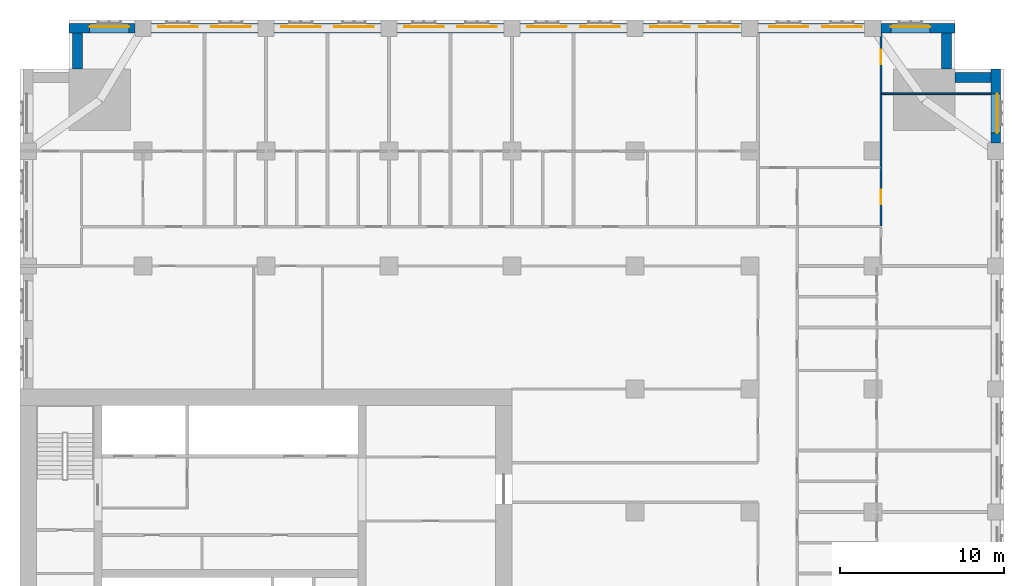
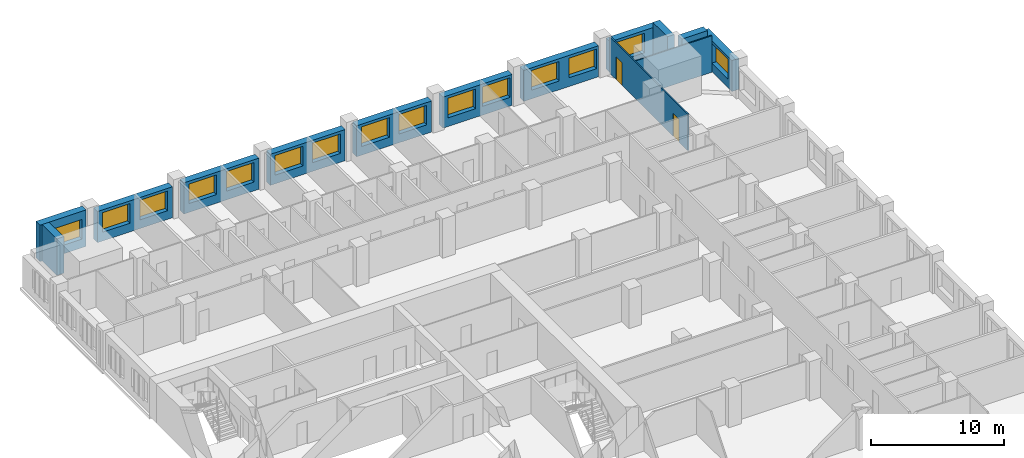
# One storey, part 12 of 15: 15 windows, 14 walls, 2 doors, 17 openings.
"""IFC4 building model written with IfcOpenShell, lengths in metres."""

from ifc_helpers import new_model, si_unit, direction, frame, frame_2d, origin, place, context, subcontext, project, spatial, rectangle, extrude, material, layer, layer_set, type_object, element, fill, save


model = new_model("IFC4")

# Units and contexts
model_context = context("Model", 3, precision=1e-05, world=origin(), true_north=direction((0.0, 1.0)))
body_context = subcontext(model_context, "Body", "Model", "MODEL_VIEW")
ifc_project = project(units=[si_unit("LENGTHUNIT", "METRE"), si_unit("AREAUNIT", "SQUARE_METRE"), si_unit("VOLUMEUNIT", "CUBIC_METRE"), si_unit("PLANEANGLEUNIT", "RADIAN"), si_unit("MASSUNIT", "GRAM", prefix="KILO")], contexts=[model_context])

# Site, building, storey
site_placement = place(None, origin())
site = spatial("IfcSite", under=ifc_project, at=site_placement, CompositionType="ELEMENT")
building_placement = place(site_placement, origin())
building = spatial("IfcBuilding", under=site, at=building_placement, Name="Tamorin Gate", CompositionType="ELEMENT")
storey_placement = place(building_placement, frame((0.0, 0.0, 111.5)))
storey = spatial("IfcBuildingStorey", under=building, at=storey_placement, Name="L27", CompositionType="ELEMENT", Elevation=111.5)

# Wall, opening, window
ifc_material_1 = material(Name="Precast concrete C40/50", Category="concrete")
ifc_layer_1 = layer(ifc_material_1, 0.60009765625)
ifc_layer_set_1 = layer_set([ifc_layer_1], Name="Precast concrete C40/50")
wall_type_1 = type_object("IfcWallType", Name="Board-marked concrete facade panel 600", PredefinedType="SOLIDWALL", material=ifc_layer_set_1)
wall_1_placement = place(storey_placement, frame((89.5, 97.5, 0.0), z_axis=(0.0, 0.0, 1.0), x_axis=(0.0, 1.0, 0.0)))
wall_1 = element("IfcWall", 1, at=wall_1_placement, inside=storey, type_object=wall_type_1, Name="Facade panel", PredefinedType="SOLIDWALL", context=body_context, shape_type="SweptSolid", body=[
    extrude(rectangle(XDim=4.5, YDim=0.60009765625, at=frame_2d((2.25, 0.0))), origin(), (0.0, 0.0, 1.0), 2.85009765625),
])
opening_1_placement = place(wall_1_placement, frame((0.60009765625, 0.0, 0.800048828125)))
opening_1 = element("IfcOpeningElement", 2, at=opening_1_placement, cuts=wall_1, Name="Opening WN1", PredefinedType="OPENING", context=body_context, shape_type="SweptSolid", body=[
    extrude(rectangle(XDim=2.39990234375, YDim=1.800048828125, at=frame_2d((1.199951171875, 0.89990234375))), frame((0.0, 0.31005859375, 0.0), z_axis=(0.0, -1.0, 0.0), x_axis=(1.0, 0.0, 0.0)), (0.0, 0.0, 1.0), 0.6201171875),
])
ifc_material_2 = material(Name="Clear glass in aluminium frame", Category="aluminium")
window_type = type_object("IfcWindowType", Name="Deep-set window 2400x1800", PartitioningType="SINGLE_PANEL", PredefinedType="WINDOW", material=ifc_material_2)
window_1_placement = place(opening_1_placement, origin())
window_1 = element("IfcWindow", 3, at=window_1_placement, inside=storey, type_object=window_type, Name="Deep-set window", OverallHeight=1.800048828125, OverallWidth=2.39990234375, PartitioningType="SINGLE_PANEL", PredefinedType="WINDOW", context=body_context, shape_type="SweptSolid", body=[
    extrude(rectangle(XDim=2.39990234375, YDim=1.800048828125, at=frame_2d((1.199951171875, 0.89990234375))), frame((0.0, -0.070068359375, 0.0), z_axis=(0.0, -1.0, 0.0), x_axis=(1.0, 0.0, 0.0)), (0.0, 0.0, 1.0), 0.06005859375),
])
fill(opening_1, window_1)

# Walls
for number, where, z_axis, x_axis, name in (
    (4, (89.199951171875, 101.5, 0.0), (0.0, 0.0, 1.0), (-1.0, 0.0, 0.0), "Facade panel"),
    (5, (86.5, 102.0, 0.0), (0.0, 0.0, 1.0), (0.0, 1.0, 0.0), "Facade panel"),
):
    element("IfcWall", number, at=place(storey_placement, frame(where, z_axis=z_axis, x_axis=x_axis)), inside=storey, type_object=wall_type_1, Name=name, PredefinedType="SOLIDWALL", context=body_context, shape_type="SweptSolid", body=[
        extrude(rectangle(XDim=2.199951171875, YDim=0.60009765625, at=frame_2d((1.10009765625, 0.0))), origin(), (0.0, 0.0, 1.0), 3.35009765625),
    ])

# Wall, opening, window
wall_2_placement = place(storey_placement, frame((87.0, 104.5, 0.0), z_axis=(0.0, 0.0, 1.0), x_axis=(-1.0, 0.0, 0.0)))
wall_2 = element("IfcWall", 6, at=wall_2_placement, inside=storey, type_object=wall_type_1, Name="Facade panel", PredefinedType="SOLIDWALL", context=body_context, shape_type="SweptSolid", body=[
    extrude(rectangle(XDim=4.5, YDim=0.60009765625, at=frame_2d((2.25, 0.0))), origin(), (0.0, 0.0, 1.0), 2.85009765625),
])
opening_2_placement = place(wall_2_placement, frame((1.5, 0.0, 0.800048828125)))
opening_2 = element("IfcOpeningElement", 7, at=opening_2_placement, cuts=wall_2, Name="Opening WN1", PredefinedType="OPENING", context=body_context, shape_type="SweptSolid", body=[
    extrude(rectangle(XDim=2.39990234375, YDim=1.800048828125, at=frame_2d((1.199951171875, 0.89990234375))), frame((0.0, 0.31005859375, 0.0), z_axis=(0.0, -1.0, 0.0), x_axis=(1.0, 0.0, 0.0)), (0.0, 0.0, 1.0), 0.6201171875),
])
window_2_placement = place(opening_2_placement, origin())
window_2 = element("IfcWindow", 8, at=window_2_placement, inside=storey, type_object=window_type, Name="Deep-set window", OverallHeight=1.800048828125, OverallWidth=2.39990234375, PartitioningType="SINGLE_PANEL", PredefinedType="WINDOW", context=body_context, shape_type="SweptSolid", body=[
    extrude(rectangle(XDim=2.39990234375, YDim=1.800048828125, at=frame_2d((1.199951171875, 0.89990234375))), frame((0.0, -0.070068359375, 0.0), z_axis=(0.0, -1.0, 0.0), x_axis=(1.0, 0.0, 0.0)), (0.0, 0.0, 1.0), 0.06005859375),
])
fill(opening_2, window_2)

# Wall, openings, windows
wall_3_placement = place(storey_placement, frame((81.5, 104.5, 0.0), z_axis=(0.0, 0.0, 1.0), x_axis=(-1.0, 0.0, 0.0)))
wall_3 = element("IfcWall", 9, at=wall_3_placement, inside=storey, type_object=wall_type_1, Name="Facade panel", PredefinedType="SOLIDWALL", context=body_context, shape_type="SweptSolid", body=[
    extrude(rectangle(XDim=6.5, YDim=0.60009765625, at=frame_2d((3.25, 0.0))), origin(), (0.0, 0.0, 1.0), 2.85009765625),
])
opening_3_placement = place(wall_3_placement, frame((3.425048828125, 0.0, 0.800048828125)))
opening_3 = element("IfcOpeningElement", 10, at=opening_3_placement, cuts=wall_3, Name="Opening WN1", PredefinedType="OPENING", context=body_context, shape_type="SweptSolid", body=[
    extrude(rectangle(XDim=2.39990234375, YDim=1.800048828125, at=frame_2d((1.199951171875, 0.89990234375))), frame((0.0, 0.31005859375, 0.0), z_axis=(0.0, -1.0, 0.0), x_axis=(1.0, 0.0, 0.0)), (0.0, 0.0, 1.0), 0.6201171875),
])
opening_4_placement = place(wall_3_placement, frame((0.175048828125, 0.0, 0.800048828125)))
opening_4 = element("IfcOpeningElement", 11, at=opening_4_placement, cuts=wall_3, Name="Opening WN1", PredefinedType="OPENING", context=body_context, shape_type="SweptSolid", body=[
    extrude(rectangle(XDim=2.39990234375, YDim=1.800048828125, at=frame_2d((1.199951171875, 0.89990234375))), frame((0.0, 0.31005859375, 0.0), z_axis=(0.0, -1.0, 0.0), x_axis=(1.0, 0.0, 0.0)), (0.0, 0.0, 1.0), 0.6201171875),
])
window_3_placement = place(opening_3_placement, origin())
window_3 = element("IfcWindow", 12, at=window_3_placement, inside=storey, type_object=window_type, Name="Deep-set window", OverallHeight=1.800048828125, OverallWidth=2.39990234375, PartitioningType="SINGLE_PANEL", PredefinedType="WINDOW", context=body_context, shape_type="SweptSolid", body=[
    extrude(rectangle(XDim=2.39990234375, YDim=1.800048828125, at=frame_2d((1.199951171875, 0.89990234375))), frame((0.0, -0.070068359375, 0.0), z_axis=(0.0, -1.0, 0.0), x_axis=(1.0, 0.0, 0.0)), (0.0, 0.0, 1.0), 0.06005859375),
])
fill(opening_3, window_3)
window_4_placement = place(opening_4_placement, origin())
window_4 = element("IfcWindow", 13, at=window_4_placement, inside=storey, type_object=window_type, Name="Deep-set window", OverallHeight=1.800048828125, OverallWidth=2.39990234375, PartitioningType="SINGLE_PANEL", PredefinedType="WINDOW", context=body_context, shape_type="SweptSolid", body=[
    extrude(rectangle(XDim=2.39990234375, YDim=1.800048828125, at=frame_2d((1.199951171875, 0.89990234375))), frame((0.0, -0.070068359375, 0.0), z_axis=(0.0, -1.0, 0.0), x_axis=(1.0, 0.0, 0.0)), (0.0, 0.0, 1.0), 0.06005859375),
])
fill(opening_4, window_4)

wall_4_placement = place(storey_placement, frame((74.0, 104.5, 0.0), z_axis=(0.0, 0.0, 1.0), x_axis=(-1.0, 0.0, 0.0)))
wall_4 = element("IfcWall", 14, at=wall_4_placement, inside=storey, type_object=wall_type_1, Name="Facade panel", PredefinedType="SOLIDWALL", context=body_context, shape_type="SweptSolid", body=[
    extrude(rectangle(XDim=6.0, YDim=0.60009765625, at=frame_2d((3.0, 0.0))), origin(), (0.0, 0.0, 1.0), 2.85009765625),
])
opening_5_placement = place(wall_4_placement, frame((3.175048828125, 0.0, 0.800048828125)))
opening_5 = element("IfcOpeningElement", 15, at=opening_5_placement, cuts=wall_4, Name="Opening WN1", PredefinedType="OPENING", context=body_context, shape_type="SweptSolid", body=[
    extrude(rectangle(XDim=2.39990234375, YDim=1.800048828125, at=frame_2d((1.199951171875, 0.89990234375))), frame((0.0, 0.31005859375, 0.0), z_axis=(0.0, -1.0, 0.0), x_axis=(1.0, 0.0, 0.0)), (0.0, 0.0, 1.0), 0.6201171875),
])
opening_6_placement = place(wall_4_placement, frame((0.175048828125, 0.0, 0.800048828125)))
opening_6 = element("IfcOpeningElement", 16, at=opening_6_placement, cuts=wall_4, Name="Opening WN1", PredefinedType="OPENING", context=body_context, shape_type="SweptSolid", body=[
    extrude(rectangle(XDim=2.39990234375, YDim=1.800048828125, at=frame_2d((1.199951171875, 0.89990234375))), frame((0.0, 0.31005859375, 0.0), z_axis=(0.0, -1.0, 0.0), x_axis=(1.0, 0.0, 0.0)), (0.0, 0.0, 1.0), 0.6201171875),
])
window_5_placement = place(opening_5_placement, origin())
window_5 = element("IfcWindow", 17, at=window_5_placement, inside=storey, type_object=window_type, Name="Deep-set window", OverallHeight=1.800048828125, OverallWidth=2.39990234375, PartitioningType="SINGLE_PANEL", PredefinedType="WINDOW", context=body_context, shape_type="SweptSolid", body=[
    extrude(rectangle(XDim=2.39990234375, YDim=1.800048828125, at=frame_2d((1.199951171875, 0.89990234375))), frame((0.0, -0.070068359375, 0.0), z_axis=(0.0, -1.0, 0.0), x_axis=(1.0, 0.0, 0.0)), (0.0, 0.0, 1.0), 0.06005859375),
])
fill(opening_5, window_5)
window_6_placement = place(opening_6_placement, origin())
window_6 = element("IfcWindow", 18, at=window_6_placement, inside=storey, type_object=window_type, Name="Deep-set window", OverallHeight=1.800048828125, OverallWidth=2.39990234375, PartitioningType="SINGLE_PANEL", PredefinedType="WINDOW", context=body_context, shape_type="SweptSolid", body=[
    extrude(rectangle(XDim=2.39990234375, YDim=1.800048828125, at=frame_2d((1.199951171875, 0.89990234375))), frame((0.0, -0.070068359375, 0.0), z_axis=(0.0, -1.0, 0.0), x_axis=(1.0, 0.0, 0.0)), (0.0, 0.0, 1.0), 0.06005859375),
])
fill(opening_6, window_6)

wall_5_placement = place(storey_placement, frame((67.0, 104.5, 0.0), z_axis=(0.0, 0.0, 1.0), x_axis=(-1.0, 0.0, 0.0)))
wall_5 = element("IfcWall", 19, at=wall_5_placement, inside=storey, type_object=wall_type_1, Name="Facade panel", PredefinedType="SOLIDWALL", context=body_context, shape_type="SweptSolid", body=[
    extrude(rectangle(XDim=6.5, YDim=0.60009765625, at=frame_2d((3.25, 0.0))), origin(), (0.0, 0.0, 1.0), 2.85009765625),
])
opening_7_placement = place(wall_5_placement, frame((3.675048828125, 0.0, 0.800048828125)))
opening_7 = element("IfcOpeningElement", 20, at=opening_7_placement, cuts=wall_5, Name="Opening WN1", PredefinedType="OPENING", context=body_context, shape_type="SweptSolid", body=[
    extrude(rectangle(XDim=2.39990234375, YDim=1.800048828125, at=frame_2d((1.199951171875, 0.89990234375))), frame((0.0, 0.31005859375, 0.0), z_axis=(0.0, -1.0, 0.0), x_axis=(1.0, 0.0, 0.0)), (0.0, 0.0, 1.0), 0.6201171875),
])
opening_8_placement = place(wall_5_placement, frame((0.425048828125, 0.0, 0.800048828125)))
opening_8 = element("IfcOpeningElement", 21, at=opening_8_placement, cuts=wall_5, Name="Opening WN1", PredefinedType="OPENING", context=body_context, shape_type="SweptSolid", body=[
    extrude(rectangle(XDim=2.39990234375, YDim=1.800048828125, at=frame_2d((1.199951171875, 0.89990234375))), frame((0.0, 0.31005859375, 0.0), z_axis=(0.0, -1.0, 0.0), x_axis=(1.0, 0.0, 0.0)), (0.0, 0.0, 1.0), 0.6201171875),
])
window_7_placement = place(opening_7_placement, origin())
window_7 = element("IfcWindow", 22, at=window_7_placement, inside=storey, type_object=window_type, Name="Deep-set window", OverallHeight=1.800048828125, OverallWidth=2.39990234375, PartitioningType="SINGLE_PANEL", PredefinedType="WINDOW", context=body_context, shape_type="SweptSolid", body=[
    extrude(rectangle(XDim=2.39990234375, YDim=1.800048828125, at=frame_2d((1.199951171875, 0.89990234375))), frame((0.0, -0.070068359375, 0.0), z_axis=(0.0, -1.0, 0.0), x_axis=(1.0, 0.0, 0.0)), (0.0, 0.0, 1.0), 0.06005859375),
])
fill(opening_7, window_7)
window_8_placement = place(opening_8_placement, origin())
window_8 = element("IfcWindow", 23, at=window_8_placement, inside=storey, type_object=window_type, Name="Deep-set window", OverallHeight=1.800048828125, OverallWidth=2.39990234375, PartitioningType="SINGLE_PANEL", PredefinedType="WINDOW", context=body_context, shape_type="SweptSolid", body=[
    extrude(rectangle(XDim=2.39990234375, YDim=1.800048828125, at=frame_2d((1.199951171875, 0.89990234375))), frame((0.0, -0.070068359375, 0.0), z_axis=(0.0, -1.0, 0.0), x_axis=(1.0, 0.0, 0.0)), (0.0, 0.0, 1.0), 0.06005859375),
])
fill(opening_8, window_8)

wall_6_placement = place(storey_placement, frame((59.5, 104.5, 0.0), z_axis=(0.0, 0.0, 1.0), x_axis=(-1.0, 0.0, 0.0)))
wall_6 = element("IfcWall", 24, at=wall_6_placement, inside=storey, type_object=wall_type_1, Name="Facade panel", PredefinedType="SOLIDWALL", context=body_context, shape_type="SweptSolid", body=[
    extrude(rectangle(XDim=6.5, YDim=0.60009765625, at=frame_2d((3.25, 0.0))), origin(), (0.0, 0.0, 1.0), 2.85009765625),
])
opening_9_placement = place(wall_6_placement, frame((3.675048828125, 0.0, 0.800048828125)))
opening_9 = element("IfcOpeningElement", 25, at=opening_9_placement, cuts=wall_6, Name="Opening WN1", PredefinedType="OPENING", context=body_context, shape_type="SweptSolid", body=[
    extrude(rectangle(XDim=2.39990234375, YDim=1.800048828125, at=frame_2d((1.199951171875, 0.89990234375))), frame((0.0, 0.31005859375, 0.0), z_axis=(0.0, -1.0, 0.0), x_axis=(1.0, 0.0, 0.0)), (0.0, 0.0, 1.0), 0.6201171875),
])
opening_10_placement = place(wall_6_placement, frame((0.425048828125, 0.0, 0.800048828125)))
opening_10 = element("IfcOpeningElement", 26, at=opening_10_placement, cuts=wall_6, Name="Opening WN1", PredefinedType="OPENING", context=body_context, shape_type="SweptSolid", body=[
    extrude(rectangle(XDim=2.39990234375, YDim=1.800048828125, at=frame_2d((1.199951171875, 0.89990234375))), frame((0.0, 0.31005859375, 0.0), z_axis=(0.0, -1.0, 0.0), x_axis=(1.0, 0.0, 0.0)), (0.0, 0.0, 1.0), 0.6201171875),
])
window_9_placement = place(opening_9_placement, origin())
window_9 = element("IfcWindow", 27, at=window_9_placement, inside=storey, type_object=window_type, Name="Deep-set window", OverallHeight=1.800048828125, OverallWidth=2.39990234375, PartitioningType="SINGLE_PANEL", PredefinedType="WINDOW", context=body_context, shape_type="SweptSolid", body=[
    extrude(rectangle(XDim=2.39990234375, YDim=1.800048828125, at=frame_2d((1.199951171875, 0.89990234375))), frame((0.0, -0.070068359375, 0.0), z_axis=(0.0, -1.0, 0.0), x_axis=(1.0, 0.0, 0.0)), (0.0, 0.0, 1.0), 0.06005859375),
])
fill(opening_9, window_9)
window_10_placement = place(opening_10_placement, origin())
window_10 = element("IfcWindow", 28, at=window_10_placement, inside=storey, type_object=window_type, Name="Deep-set window", OverallHeight=1.800048828125, OverallWidth=2.39990234375, PartitioningType="SINGLE_PANEL", PredefinedType="WINDOW", context=body_context, shape_type="SweptSolid", body=[
    extrude(rectangle(XDim=2.39990234375, YDim=1.800048828125, at=frame_2d((1.199951171875, 0.89990234375))), frame((0.0, -0.070068359375, 0.0), z_axis=(0.0, -1.0, 0.0), x_axis=(1.0, 0.0, 0.0)), (0.0, 0.0, 1.0), 0.06005859375),
])
fill(opening_10, window_10)

wall_7_placement = place(storey_placement, frame((52.0, 104.5, 0.0), z_axis=(0.0, 0.0, 1.0), x_axis=(-1.0, 0.0, 0.0)))
wall_7 = element("IfcWall", 29, at=wall_7_placement, inside=storey, type_object=wall_type_1, Name="Facade panel", PredefinedType="SOLIDWALL", context=body_context, shape_type="SweptSolid", body=[
    extrude(rectangle(XDim=6.5, YDim=0.60009765625, at=frame_2d((3.25, 0.0))), origin(), (0.0, 0.0, 1.0), 2.85009765625),
])
opening_11_placement = place(wall_7_placement, frame((3.675048828125, 0.0, 0.800048828125)))
opening_11 = element("IfcOpeningElement", 30, at=opening_11_placement, cuts=wall_7, Name="Opening WN1", PredefinedType="OPENING", context=body_context, shape_type="SweptSolid", body=[
    extrude(rectangle(XDim=2.39990234375, YDim=1.800048828125, at=frame_2d((1.199951171875, 0.89990234375))), frame((0.0, 0.31005859375, 0.0), z_axis=(0.0, -1.0, 0.0), x_axis=(1.0, 0.0, 0.0)), (0.0, 0.0, 1.0), 0.6201171875),
])
opening_12_placement = place(wall_7_placement, frame((0.425048828125, 0.0, 0.800048828125)))
opening_12 = element("IfcOpeningElement", 31, at=opening_12_placement, cuts=wall_7, Name="Opening WN1", PredefinedType="OPENING", context=body_context, shape_type="SweptSolid", body=[
    extrude(rectangle(XDim=2.39990234375, YDim=1.800048828125, at=frame_2d((1.199951171875, 0.89990234375))), frame((0.0, 0.31005859375, 0.0), z_axis=(0.0, -1.0, 0.0), x_axis=(1.0, 0.0, 0.0)), (0.0, 0.0, 1.0), 0.6201171875),
])
window_11_placement = place(opening_11_placement, origin())
window_11 = element("IfcWindow", 32, at=window_11_placement, inside=storey, type_object=window_type, Name="Deep-set window", OverallHeight=1.800048828125, OverallWidth=2.39990234375, PartitioningType="SINGLE_PANEL", PredefinedType="WINDOW", context=body_context, shape_type="SweptSolid", body=[
    extrude(rectangle(XDim=2.39990234375, YDim=1.800048828125, at=frame_2d((1.199951171875, 0.89990234375))), frame((0.0, -0.070068359375, 0.0), z_axis=(0.0, -1.0, 0.0), x_axis=(1.0, 0.0, 0.0)), (0.0, 0.0, 1.0), 0.06005859375),
])
fill(opening_11, window_11)
window_12_placement = place(opening_12_placement, origin())
window_12 = element("IfcWindow", 33, at=window_12_placement, inside=storey, type_object=window_type, Name="Deep-set window", OverallHeight=1.800048828125, OverallWidth=2.39990234375, PartitioningType="SINGLE_PANEL", PredefinedType="WINDOW", context=body_context, shape_type="SweptSolid", body=[
    extrude(rectangle(XDim=2.39990234375, YDim=1.800048828125, at=frame_2d((1.199951171875, 0.89990234375))), frame((0.0, -0.070068359375, 0.0), z_axis=(0.0, -1.0, 0.0), x_axis=(1.0, 0.0, 0.0)), (0.0, 0.0, 1.0), 0.06005859375),
])
fill(opening_12, window_12)

wall_8_placement = place(storey_placement, frame((44.5, 104.5, 0.0), z_axis=(0.0, 0.0, 1.0), x_axis=(-1.0, 0.0, 0.0)))
wall_8 = element("IfcWall", 34, at=wall_8_placement, inside=storey, type_object=wall_type_1, Name="Facade panel", PredefinedType="SOLIDWALL", context=body_context, shape_type="SweptSolid", body=[
    extrude(rectangle(XDim=6.5, YDim=0.60009765625, at=frame_2d((3.25, 0.0))), origin(), (0.0, 0.0, 1.0), 2.85009765625),
])
opening_13_placement = place(wall_8_placement, frame((3.675048828125, 0.0, 0.800048828125)))
opening_13 = element("IfcOpeningElement", 35, at=opening_13_placement, cuts=wall_8, Name="Opening WN1", PredefinedType="OPENING", context=body_context, shape_type="SweptSolid", body=[
    extrude(rectangle(XDim=2.39990234375, YDim=1.800048828125, at=frame_2d((1.199951171875, 0.89990234375))), frame((0.0, 0.31005859375, 0.0), z_axis=(0.0, -1.0, 0.0), x_axis=(1.0, 0.0, 0.0)), (0.0, 0.0, 1.0), 0.6201171875),
])
opening_14_placement = place(wall_8_placement, frame((0.425048828125, 0.0, 0.800048828125)))
opening_14 = element("IfcOpeningElement", 36, at=opening_14_placement, cuts=wall_8, Name="Opening WN1", PredefinedType="OPENING", context=body_context, shape_type="SweptSolid", body=[
    extrude(rectangle(XDim=2.39990234375, YDim=1.800048828125, at=frame_2d((1.199951171875, 0.89990234375))), frame((0.0, 0.31005859375, 0.0), z_axis=(0.0, -1.0, 0.0), x_axis=(1.0, 0.0, 0.0)), (0.0, 0.0, 1.0), 0.6201171875),
])
window_13_placement = place(opening_13_placement, origin())
window_13 = element("IfcWindow", 37, at=window_13_placement, inside=storey, type_object=window_type, Name="Deep-set window", OverallHeight=1.800048828125, OverallWidth=2.39990234375, PartitioningType="SINGLE_PANEL", PredefinedType="WINDOW", context=body_context, shape_type="SweptSolid", body=[
    extrude(rectangle(XDim=2.39990234375, YDim=1.800048828125, at=frame_2d((1.199951171875, 0.89990234375))), frame((0.0, -0.070068359375, 0.0), z_axis=(0.0, -1.0, 0.0), x_axis=(1.0, 0.0, 0.0)), (0.0, 0.0, 1.0), 0.06005859375),
])
fill(opening_13, window_13)
window_14_placement = place(opening_14_placement, origin())
window_14 = element("IfcWindow", 38, at=window_14_placement, inside=storey, type_object=window_type, Name="Deep-set window", OverallHeight=1.800048828125, OverallWidth=2.39990234375, PartitioningType="SINGLE_PANEL", PredefinedType="WINDOW", context=body_context, shape_type="SweptSolid", body=[
    extrude(rectangle(XDim=2.39990234375, YDim=1.800048828125, at=frame_2d((1.199951171875, 0.89990234375))), frame((0.0, -0.070068359375, 0.0), z_axis=(0.0, -1.0, 0.0), x_axis=(1.0, 0.0, 0.0)), (0.0, 0.0, 1.0), 0.06005859375),
])
fill(opening_14, window_14)

# Wall, opening, window
wall_9_placement = place(storey_placement, frame((37.0, 104.5, 0.0), z_axis=(0.0, 0.0, 1.0), x_axis=(-1.0, 0.0, 0.0)))
wall_9 = element("IfcWall", 39, at=wall_9_placement, inside=storey, type_object=wall_type_1, Name="Facade panel", PredefinedType="SOLIDWALL", context=body_context, shape_type="SweptSolid", body=[
    extrude(rectangle(XDim=4.0, YDim=0.60009765625, at=frame_2d((2.0, 0.0))), origin(), (0.0, 0.0, 1.0), 3.35009765625),
])
opening_15_placement = place(wall_9_placement, frame((0.35009765625, 0.0, 0.800048828125)))
opening_15 = element("IfcOpeningElement", 40, at=opening_15_placement, cuts=wall_9, Name="Opening WN1", PredefinedType="OPENING", context=body_context, shape_type="SweptSolid", body=[
    extrude(rectangle(XDim=2.39990234375, YDim=1.800048828125, at=frame_2d((1.199951171875, 0.89990234375))), frame((0.0, 0.31005859375, 0.0), z_axis=(0.0, -1.0, 0.0), x_axis=(1.0, 0.0, 0.0)), (0.0, 0.0, 1.0), 0.6201171875),
])
window_15_placement = place(opening_15_placement, origin())
window_15 = element("IfcWindow", 41, at=window_15_placement, inside=storey, type_object=window_type, Name="Deep-set window", OverallHeight=1.800048828125, OverallWidth=2.39990234375, PartitioningType="SINGLE_PANEL", PredefinedType="WINDOW", context=body_context, shape_type="SweptSolid", body=[
    extrude(rectangle(XDim=2.39990234375, YDim=1.800048828125, at=frame_2d((1.199951171875, 0.89990234375))), frame((0.0, -0.070068359375, 0.0), z_axis=(0.0, -1.0, 0.0), x_axis=(1.0, 0.0, 0.0)), (0.0, 0.0, 1.0), 0.06005859375),
])
fill(opening_15, window_15)

# Walls
wall_10_placement = place(storey_placement, frame((33.5, 104.199951171875, 0.0), z_axis=(0.0, 0.0, 1.0), x_axis=(0.0, -1.0, 0.0)))
element("IfcWall", 42, at=wall_10_placement, inside=storey, type_object=wall_type_1, Name="Facade panel", PredefinedType="SOLIDWALL", context=body_context, shape_type="SweptSolid", body=[
    extrude(rectangle(XDim=2.199951171875, YDim=0.60009765625, at=frame_2d((1.10009765625, 0.0))), origin(), (0.0, 0.0, 1.0), 3.35009765625),
])
ifc_material_3 = material(Name="Gypsum board partition")
ifc_layer_2 = layer(ifc_material_3, 0.10009765625)
ifc_layer_set_2 = layer_set([ifc_layer_2], Name="Room partition 100")
wall_type_2 = type_object("IfcWallType", Name="Room partition 100", PredefinedType="PARTITIONING", material=ifc_layer_set_2)
wall_11_placement = place(storey_placement, frame((82.550048828125, 100.5, 0.0), z_axis=(0.0, 0.0, 1.0), x_axis=(1.0, 0.0, 0.0)))
element("IfcWall", 43, at=wall_11_placement, inside=storey, type_object=wall_type_2, Name="Room partition 100", PredefinedType="PARTITIONING", context=body_context, shape_type="SweptSolid", body=[
    extrude(rectangle(XDim=6.639892578125, YDim=0.10009765625, at=frame_2d((3.31982421875, 0.0))), origin(), (0.0, 0.0, 1.0), 3.35009765625),
])

# Wall, openings, doors
wall_12_placement = place(storey_placement, frame((82.5, 92.46240234375, 0.0), z_axis=(0.0, 0.0, 1.0), x_axis=(0.0, 1.0, 0.0)))
wall_12 = element("IfcWall", 44, at=wall_12_placement, inside=storey, type_object=wall_type_2, Name="Room partition 100", PredefinedType="PARTITIONING", context=body_context, shape_type="SweptSolid", body=[
    extrude(rectangle(XDim=11.7275390625, YDim=0.10009765625, at=frame_2d((5.86376953125, 0.0))), origin(), (0.0, 0.0, 1.0), 3.35009765625),
])
opening_16_placement = place(wall_12_placement, frame((9.83740234375, 0.0, 0.0)))
opening_16 = element("IfcOpeningElement", 45, at=opening_16_placement, cuts=wall_12, Name="Opening DH6083", PredefinedType="OPENING", context=body_context, shape_type="SweptSolid", body=[
    extrude(rectangle(XDim=0.89990234375, YDim=2.10009765625, at=frame_2d((0.449951171875, 1.050048828125))), frame((0.0, 0.06005859375, 0.0), z_axis=(0.0, -1.0, 0.0), x_axis=(1.0, 0.0, 0.0)), (0.0, 0.0, 1.0), 0.1201171875),
])
opening_17_placement = place(wall_12_placement, frame((1.28759765625, 0.0, 0.0)))
opening_17 = element("IfcOpeningElement", 46, at=opening_17_placement, cuts=wall_12, Name="Opening DH6084", PredefinedType="OPENING", context=body_context, shape_type="SweptSolid", body=[
    extrude(rectangle(XDim=0.89990234375, YDim=2.10009765625, at=frame_2d((0.449951171875, 1.050048828125))), frame((0.0, 0.06005859375, 0.0), z_axis=(0.0, -1.0, 0.0), x_axis=(1.0, 0.0, 0.0)), (0.0, 0.0, 1.0), 0.1201171875),
])
ifc_material_4 = material(Name="Timber door leaf", Category="wood")
door_type = type_object("IfcDoorType", Name="Door 900 x 2100", OperationType="NOTDEFINED", PredefinedType="DOOR", material=ifc_material_4)
door_1_placement = place(opening_16_placement, origin())
door_1 = element("IfcDoor", 47, at=door_1_placement, inside=storey, type_object=door_type, Name="Door DH6083", OperationType="SINGLE_SWING_LEFT", OverallHeight=2.10009765625, OverallWidth=0.89990234375, PredefinedType="DOOR", context=body_context, shape_type="SweptSolid", body=[
    extrude(rectangle(XDim=0.89990234375, YDim=2.10009765625, at=frame_2d((0.449951171875, 1.050048828125))), frame((0.0, 0.02490234375, 0.0), z_axis=(0.0, -1.0, 0.0), x_axis=(1.0, 0.0, 0.0)), (0.0, 0.0, 1.0), 0.050048828125),
])
fill(opening_16, door_1)
door_2_placement = place(opening_17_placement, origin())
door_2 = element("IfcDoor", 48, at=door_2_placement, inside=storey, type_object=door_type, Name="Door DH6084", OperationType="SINGLE_SWING_RIGHT", OverallHeight=2.10009765625, OverallWidth=0.89990234375, PredefinedType="DOOR", context=body_context, shape_type="SweptSolid", body=[
    extrude(rectangle(XDim=0.89990234375, YDim=2.10009765625, at=frame_2d((0.449951171875, 1.050048828125))), frame((0.0, 0.02490234375, 0.0), z_axis=(0.0, -1.0, 0.0), x_axis=(1.0, 0.0, 0.0)), (0.0, 0.0, 1.0), 0.050048828125),
])
fill(opening_17, door_2)

save(model, "model.ifc")
